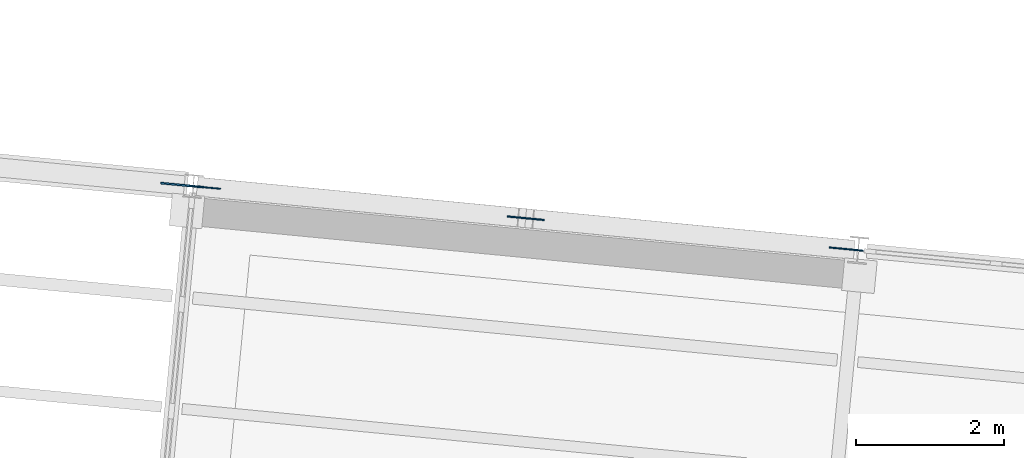
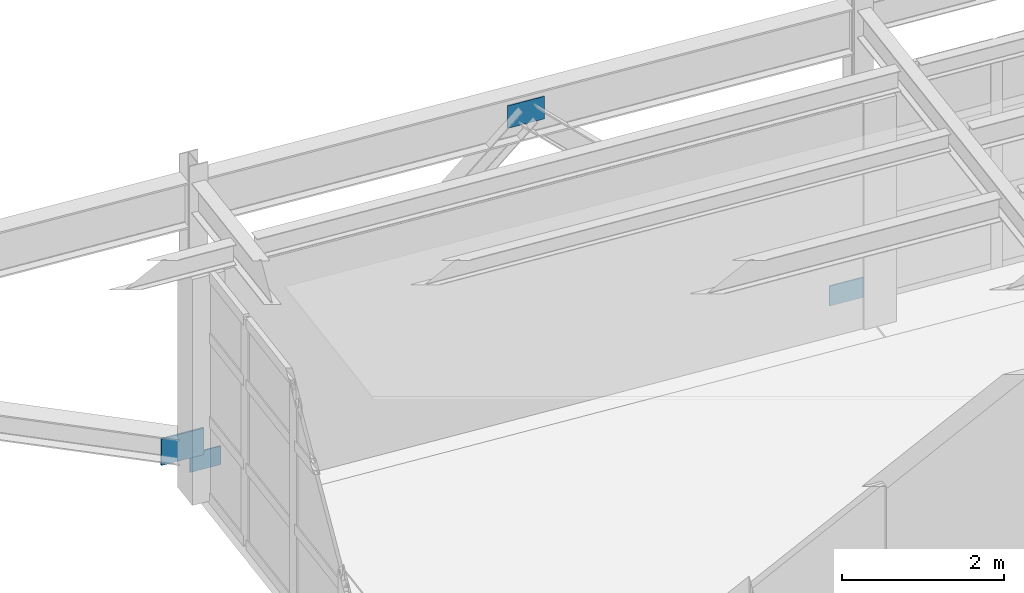
# One storey, part 85 of 109: 4 plates.
"""IFC4 building model written with IfcOpenShell, lengths in metres."""

from ifc_helpers import new_model, si_unit, direction, frame, origin, origin_2d, place, context, subcontext, project, spatial, rectangle, extrude, material, layer, layer_set, type_object, element, save


model = new_model("IFC4")

# Units and contexts
model_context = context("Model", 3, precision=1e-05, world=origin(), true_north=direction((0.0, 1.0)))
body_context = subcontext(model_context, "Body", "Model", "MODEL_VIEW")
ifc_project = project(units=[si_unit("LENGTHUNIT", "METRE"), si_unit("AREAUNIT", "SQUARE_METRE"), si_unit("VOLUMEUNIT", "CUBIC_METRE"), si_unit("PLANEANGLEUNIT", "RADIAN"), si_unit("MASSUNIT", "GRAM", prefix="KILO")], contexts=[model_context])

# Site, building, storey
site_placement = place(None, origin())
site = spatial("IfcSite", under=ifc_project, at=site_placement, CompositionType="ELEMENT")
building_placement = place(site_placement, origin())
building = spatial("IfcBuilding", under=site, at=building_placement, Name="Vireo Bluff Cable Station", CompositionType="ELEMENT")
storey_placement = place(building_placement, frame((0.0, 0.0, 4.800048828125)))
storey = spatial("IfcBuildingStorey", under=building, at=storey_placement, Name="L01", CompositionType="ELEMENT", Elevation=4.800048828125)

# Plates
ifc_material = material(Name="Steel ASTM A572 Gr. 50", Category="steel")
ifc_layer_1 = layer(ifc_material, 0.01611328125, Name="Steel ASTM A572 Gr. 50")
ifc_layer_set_1 = layer_set([ifc_layer_1], Name="Steel ASTM A572 Gr. 50")
plate_type_1 = type_object("IfcPlateType", Name="GUSSET-420X280X16", PredefinedType="USERDEFINED", material=ifc_layer_set_1)
plate_1_placement = place(storey_placement, frame((69.62255859375, 84.90576171875, 0.080078125), z_axis=(0.0, 0.0, 1.0), x_axis=(0.995396198367, -0.09584575252, 0.0)))
element("IfcPlate", 1, at=plate_1_placement, inside=storey, type_object=plate_type_1, Name="V3 L01 brace base gusset plate 140", ObjectType="GUSSET PLATE", PredefinedType="USERDEFINED", context=body_context, shape_type="SweptSolid", body=[
    extrude(rectangle(XDim=0.419921875, YDim=0.01611328125, at=origin_2d()), origin(), (0.0, 0.0, 1.0), 0.280029296875),
])
ifc_layer_2 = layer(ifc_material, 0.01806640625, Name="Steel ASTM A572 Gr. 50")
ifc_layer_set_2 = layer_set([ifc_layer_2], Name="Steel ASTM A572 Gr. 50")
plate_type_2 = type_object("IfcPlateType", Name="GUSSET-460X300X18", PredefinedType="USERDEFINED", material=ifc_layer_set_2)
plate_2_placement = place(storey_placement, frame((78.2626953125, 84.07373046875, 0.06982421875), z_axis=(0.0, 0.0, 1.0), x_axis=(0.995396198367, -0.09584575252, 0.0)))
element("IfcPlate", 2, at=plate_2_placement, inside=storey, type_object=plate_type_2, Name="V3 L01 brace base gusset plate 141", ObjectType="GUSSET PLATE", PredefinedType="USERDEFINED", context=body_context, shape_type="SweptSolid", body=[
    extrude(rectangle(XDim=0.4599609375, YDim=0.01806640625, at=origin_2d()), origin(), (0.0, 0.0, 1.0), 0.300048828125),
])
ifc_layer_3 = layer(ifc_material, 0.02001953125, Name="Steel ASTM A572 Gr. 50")
ifc_layer_set_3 = layer_set([ifc_layer_3], Name="Steel ASTM A572 Gr. 50")
plate_type_3 = type_object("IfcPlateType", Name="GUSSET-500X340X20", PredefinedType="USERDEFINED", material=ifc_layer_set_3)
plate_3_placement = place(storey_placement, frame((73.942626953125, 84.48974609375, 4.009765625), z_axis=(0.0, 0.0, 1.0), x_axis=(0.995396198367, -0.09584575252, 0.0)))
element("IfcPlate", 3, at=plate_3_placement, inside=storey, type_object=plate_type_3, Name="V3 L01 chevron gusset plate 142", ObjectType="GUSSET PLATE", PredefinedType="USERDEFINED", context=body_context, shape_type="SweptSolid", body=[
    extrude(rectangle(XDim=0.5, YDim=0.02001953125, at=origin_2d()), origin(), (0.0, 0.0, 1.0), 0.340087890625),
])
ifc_layer_4 = layer(ifc_material, 0.02392578125, Name="Steel ASTM A572 Gr. 50")
ifc_layer_set_4 = layer_set([ifc_layer_4], Name="Steel ASTM A572 Gr. 50")
plate_type_4 = type_object("IfcPlateType", Name="GUSSET-580X400X24", PredefinedType="USERDEFINED", material=ifc_layer_set_4)
plate_4_placement = place(storey_placement, frame((69.31396484375, 84.935302734375, 0.300048828125), z_axis=(0.0, 0.0, 1.0), x_axis=(0.995396198367, -0.09584575252, 0.0)))
element("IfcPlate", 4, at=plate_4_placement, inside=storey, type_object=plate_type_4, Name="V3 prow raking strut end plate 3A", ObjectType="GUSSET PLATE", PredefinedType="USERDEFINED", context=body_context, shape_type="SweptSolid", body=[
    extrude(rectangle(XDim=0.580078125, YDim=0.02392578125, at=origin_2d()), origin(), (0.0, 0.0, 1.0), 0.39990234375),
])

save(model, "model.ifc")
